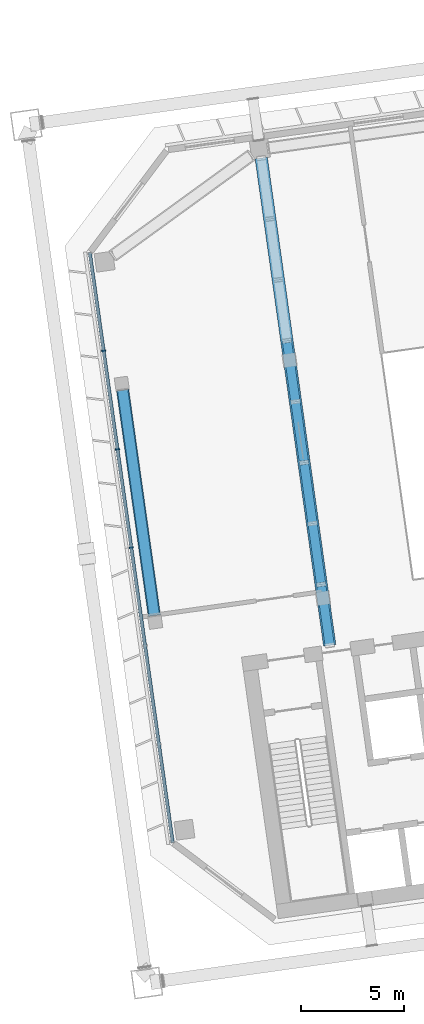
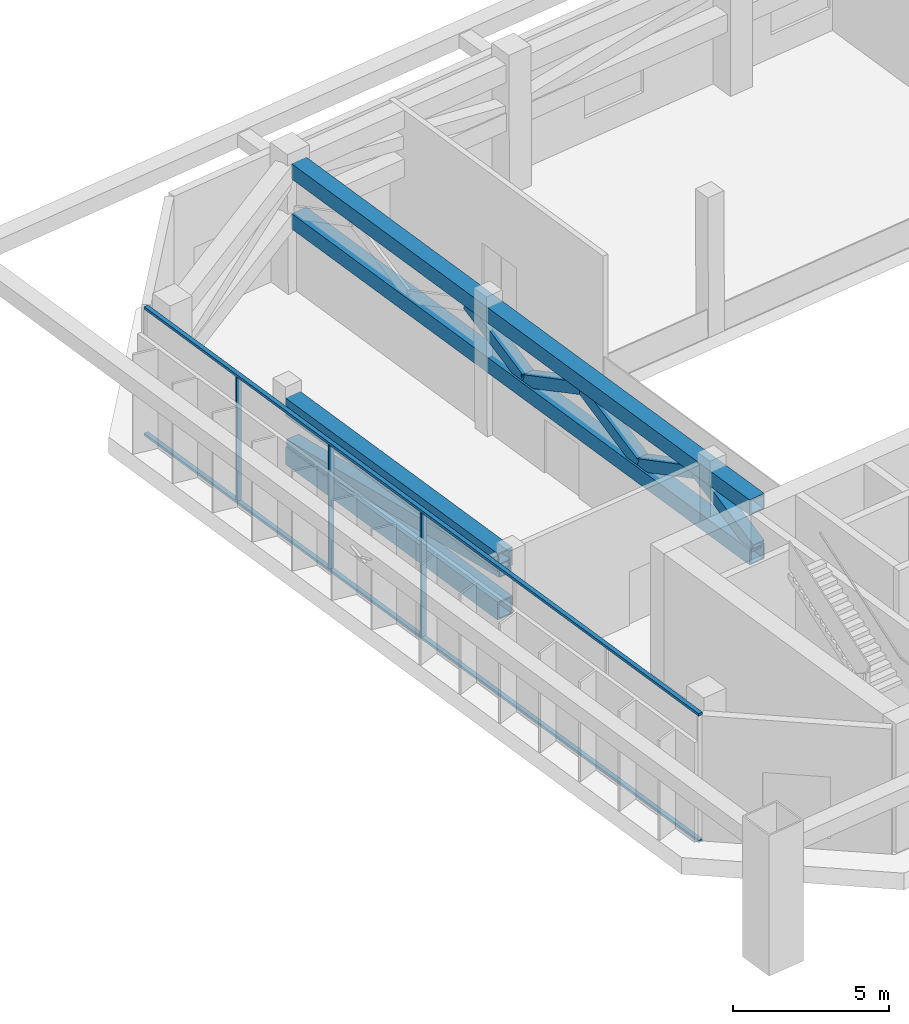
# One storey, part 13 of 41: 15 members, 1 element without a shape of its own.
"""IFC4 building model written with IfcOpenShell, lengths in metres."""

from ifc_helpers import new_model, si_unit, direction, frame, origin, origin_2d, place, context, subcontext, project, spatial, rectangle, hollow_rectangle, extrude, material, material_profile, profile_set, type_object, element, aggregate, save


model = new_model("IFC4")

# Units and contexts
model_context = context("Model", 3, precision=1e-05, world=origin(), true_north=direction((0.0, 1.0)))
body_context = subcontext(model_context, "Body", "Model", "MODEL_VIEW")
ifc_project = project(units=[si_unit("LENGTHUNIT", "METRE"), si_unit("AREAUNIT", "SQUARE_METRE"), si_unit("VOLUMEUNIT", "CUBIC_METRE"), si_unit("PLANEANGLEUNIT", "RADIAN"), si_unit("MASSUNIT", "GRAM", prefix="KILO")], contexts=[model_context])

# Site, building, storey
site_placement = place(None, origin())
site = spatial("IfcSite", under=ifc_project, at=site_placement, CompositionType="ELEMENT")
building_placement = place(site_placement, origin())
building = spatial("IfcBuilding", under=site, at=building_placement, Name="Mirante Cascada Hotel Towers", CompositionType="ELEMENT")
storey_placement = place(building_placement, frame((0.0, 0.0, 151.9)))
storey = spatial("IfcBuildingStorey", under=building, at=storey_placement, Name="L35", CompositionType="ELEMENT", Elevation=151.9)

# Members
ifc_material_1 = material(Name="Steel ASTM A572 Gr 50", Category="steel")
ifc_material_profile_1 = material_profile(ifc_material_1, hollow_rectangle(XDim=0.6, YDim=0.6, WallThickness=0.045, at=origin_2d()), Name="Box chord 600x600x45 ASTM A572 Gr 50")
ifc_profile_set_1 = profile_set([ifc_material_profile_1], Name="Steel ASTM A572 Gr 50")
member_type_1 = type_object("IfcMemberType", Name="Box chord 600x600x45 ASTM A572 Gr 50", PredefinedType="CHORD", material=ifc_profile_set_1)
for number, where, z_axis, x_axis, name in (
    (1, (39.7665, -6.7167, 2.8), (-0.1391739, 0.9902679, 0.0), (-0.9902679, -0.1391739, 0.0), "outrigger T2 L35 1"),
    (2, (39.7665, -6.7167, 4.75), (-0.1391739, 0.9902679, 0.0), (-0.9902679, -0.1391739, 0.0), "outrigger T2 L35 2"),
):
    element("IfcMember", number, at=place(storey_placement, frame(where, z_axis=z_axis, x_axis=x_axis)), inside=storey, type_object=member_type_1, Name=name, PredefinedType="CHORD", context=body_context, shape_type="SweptSolid", body=[
        extrude(hollow_rectangle(XDim=0.6, YDim=0.6, WallThickness=0.045, at=origin_2d()), origin(), (0.0, 0.0, 1.0), 23.85),
    ])
ifc_material_2 = material(Name="Steel ASTM A572 Gr 50", Category="steel")
ifc_material_profile_2 = material_profile(ifc_material_2, hollow_rectangle(XDim=0.6, YDim=0.7, WallThickness=0.05, at=origin_2d()), Name="Box chord 700x600x50 ASTM A572 Gr 50")
ifc_profile_set_2 = profile_set([ifc_material_profile_2], Name="Steel ASTM A572 Gr 50")
member_type_2 = type_object("IfcMemberType", Name="Box chord 700x600x50 ASTM A572 Gr 50", PredefinedType="CHORD", material=ifc_profile_set_2)
for number, where, z_axis, x_axis, name in (
    (3, (31.2682, -5.2754, 4.7), (-0.1391752, 0.9902678, 0.0), (-0.9902678, -0.1391752, 0.0), "belt T2 L35 28"),
    (4, (31.2682, -5.2754, 2.8), (-0.1391752, 0.9902678, 0.0), (-0.9902678, -0.1391752, 0.0), "belt T2 L35 29"),
):
    element("IfcMember", number, at=place(storey_placement, frame(where, z_axis=z_axis, x_axis=x_axis)), inside=storey, type_object=member_type_2, Name=name, PredefinedType="CHORD", context=body_context, shape_type="SweptSolid", body=[
        extrude(hollow_rectangle(XDim=0.6, YDim=0.7, WallThickness=0.05, at=origin_2d()), origin(), (0.0, 0.0, 1.0), 11.04),
    ])
ifc_material_3 = material(Name="Steel ASTM A572 Gr 50", Category="steel")
ifc_material_profile_3 = material_profile(ifc_material_3, hollow_rectangle(XDim=0.45, YDim=0.45, WallThickness=0.03, at=origin_2d()), Name="Box diagonal 450x450x30 ASTM A572 Gr 50")
ifc_profile_set_3 = profile_set([ifc_material_profile_3], Name="Steel ASTM A572 Gr 50")
member_type_3 = type_object("IfcMemberType", Name="Box diagonal 450x450x30 ASTM A572 Gr 50", PredefinedType="BRACE", material=ifc_profile_set_3)
member_1_placement = place(storey_placement, frame((39.7665, -6.7167, 3.1), z_axis=(-0.1267752, 0.9020928, 0.4125005), x_axis=(-0.9902689, -0.1391669, 0.0)))
element("IfcMember", 5, at=member_1_placement, inside=storey, type_object=member_type_3, Name="outrigger T2 L35 3", PredefinedType="BRACE", context=body_context, shape_type="SweptSolid", body=[
    extrude(hollow_rectangle(XDim=0.45, YDim=0.45, WallThickness=0.03, at=origin_2d()), origin(), (0.0, 0.0, 1.0), 3.2727),
])
for number, where, z_axis, x_axis, name in (
    (6, (39.3516, -3.7644, 4.45), (-0.1267787, 0.9020871, -0.4125119), (-0.9902683, -0.1391716, 0.0), "outrigger T2 L35 4"),
    (7, (38.9367, -0.8122, 3.1), (-0.1267787, 0.9020871, 0.4125119), (-0.9902683, -0.1391716, 0.0), "outrigger T2 L35 5"),
):
    element("IfcMember", number, at=place(storey_placement, frame(where, z_axis=z_axis, x_axis=x_axis)), inside=storey, type_object=member_type_3, Name=name, PredefinedType="BRACE", context=body_context, shape_type="SweptSolid", body=[
        extrude(hollow_rectangle(XDim=0.45, YDim=0.45, WallThickness=0.03, at=origin_2d()), origin(), (0.0, 0.0, 1.0), 3.2726),
    ])
member_2_placement = place(storey_placement, frame((38.5218, 2.14, 4.45), z_axis=(-0.1268052, 0.9020893, -0.4124989), x_axis=(-0.9902643, -0.1391998, 0.0)))
element("IfcMember", 8, at=member_2_placement, inside=storey, type_object=member_type_3, Name="outrigger T2 L35 6", PredefinedType="BRACE", context=body_context, shape_type="SweptSolid", body=[
    extrude(hollow_rectangle(XDim=0.45, YDim=0.45, WallThickness=0.03, at=origin_2d()), origin(), (0.0, 0.0, 1.0), 3.2727),
])
member_3_placement = place(storey_placement, frame((38.1068, 5.0923, 3.1), z_axis=(-0.1267787, 0.9020871, 0.4125119), x_axis=(-0.9902683, -0.1391716, 0.0)))
element("IfcMember", 9, at=member_3_placement, inside=storey, type_object=member_type_3, Name="outrigger T2 L35 7", PredefinedType="BRACE", context=body_context, shape_type="SweptSolid", body=[
    extrude(hollow_rectangle(XDim=0.45, YDim=0.45, WallThickness=0.03, at=origin_2d()), origin(), (0.0, 0.0, 1.0), 3.2726),
])
ifc_material_4 = material(Name="Steel ASTM A572 Gr 50", Category="steel")
ifc_material_profile_4 = material_profile(ifc_material_4, hollow_rectangle(XDim=0.5, YDim=0.5, WallThickness=0.035, at=origin_2d()), Name="Box diagonal 500x500x35 ASTM A572 Gr 50")
ifc_profile_set_4 = profile_set([ifc_material_profile_4], Name="Steel ASTM A572 Gr 50")
member_type_4 = type_object("IfcMemberType", Name="Box diagonal 500x500x35 ASTM A572 Gr 50", PredefinedType="BRACE", material=ifc_profile_set_4)
member_4_placement = place(storey_placement, frame((31.2682, -5.2754, 4.35), z_axis=(-0.1383602, 0.9844693, -0.1080588), x_axis=(-0.9902678, -0.1391752, 0.0)))
element("IfcMember", 10, at=member_4_placement, inside=storey, type_object=member_type_4, Name="belt T2 L35 30", PredefinedType="BRACE", context=body_context, shape_type="SweptSolid", body=[
    extrude(hollow_rectangle(XDim=0.5, YDim=0.5, WallThickness=0.035, at=origin_2d()), origin(), (0.0, 0.0, 1.0), 11.1051),
])

# Curtain wall, members
ifc_material_5 = material(Name="Aluminium mullion and transom frame with clear laminated glass", Category="aluminium")
curtain_wall_type = type_object("IfcCurtainWallType", Name="End ribbon curtain wall ECW2", PredefinedType="NOTDEFINED", material=ifc_material_5)
curtain_wall_placement = place(storey_placement, origin())
curtain_wall = element("IfcCurtainWall", 11, at=curtain_wall_placement, inside=storey, type_object=curtain_wall_type, Name="Inner end wall T2 L35", PredefinedType="NOTDEFINED")
ifc_material_6 = material(Name="Anodised aluminium extrusion", Category="aluminium")
ifc_material_profile_5 = material_profile(ifc_material_6, rectangle(XDim=0.2, YDim=0.065, at=origin_2d()), Name="ECW2 MULLION 65x200")
ifc_profile_set_5 = profile_set([ifc_material_profile_5], Name="Anodised aluminium extrusion")
member_type_5 = type_object("IfcMemberType", Name="ECW2 mullion 65x200", PredefinedType="MULLION", material=ifc_profile_set_5)
member_5_placement = place(storey_placement, frame((28.809, 7.5524, 0.1), z_axis=(0.0, 0.0, 1.0), x_axis=(0.9902681, 0.1391731, 0.0)))
member_5 = element("IfcMember", 12, at=member_5_placement, type_object=member_type_5, Name="ECW2 mullion 2", PredefinedType="MULLION", context=body_context, shape_type="SweptSolid", body=[
    extrude(rectangle(XDim=0.2, YDim=0.065, at=origin_2d()), origin(), (0.0, 0.0, 1.0), 4.85),
])
member_6_placement = place(storey_placement, frame((29.4788, 2.7867, 0.1), z_axis=(0.0, 0.0, 1.0), x_axis=(0.9902681, 0.1391731, 0.0)))
member_6 = element("IfcMember", 13, at=member_6_placement, type_object=member_type_5, Name="ECW2 mullion 3", PredefinedType="MULLION", context=body_context, shape_type="SweptSolid", body=[
    extrude(rectangle(XDim=0.2, YDim=0.065, at=origin_2d()), origin(), (0.0, 0.0, 1.0), 4.85),
])
member_7_placement = place(storey_placement, frame((30.1485, -1.9791, 0.1), z_axis=(0.0, 0.0, 1.0), x_axis=(0.9902681, 0.1391731, 0.0)))
member_7 = element("IfcMember", 14, at=member_7_placement, type_object=member_type_5, Name="ECW2 mullion 4", PredefinedType="MULLION", context=body_context, shape_type="SweptSolid", body=[
    extrude(rectangle(XDim=0.2, YDim=0.065, at=origin_2d()), origin(), (0.0, 0.0, 1.0), 4.85),
])
ifc_material_7 = material(Name="Anodised aluminium extrusion", Category="aluminium")
ifc_material_profile_6 = material_profile(ifc_material_7, rectangle(XDim=0.16, YDim=0.1, at=origin_2d()), Name="ECW2 TRANSOM 100x160")
ifc_profile_set_6 = profile_set([ifc_material_profile_6], Name="Anodised aluminium extrusion")
member_type_6 = type_object("IfcMemberType", Name="ECW2 transom 100x160", PredefinedType="USERDEFINED", material=ifc_profile_set_6)
member_8_placement = place(storey_placement, frame((28.1392, 12.3182, 0.05), z_axis=(0.1391723, -0.9902682, 0.0), x_axis=(0.9902682, 0.1391723, 0.0)))
member_8 = element("IfcMember", 15, at=member_8_placement, type_object=member_type_6, Name="ECW2 sill transom", ObjectType="TRANSOM", PredefinedType="USERDEFINED", context=body_context, shape_type="SweptSolid", body=[
    extrude(rectangle(XDim=0.16, YDim=0.1, at=origin_2d()), origin(), (0.0, 0.0, 1.0), 28.8757),
])
member_9_placement = place(storey_placement, frame((28.1392, 12.3182, 5.0), z_axis=(0.1391723, -0.9902682, 0.0), x_axis=(0.9902682, 0.1391723, 0.0)))
member_9 = element("IfcMember", 16, at=member_9_placement, type_object=member_type_6, Name="ECW2 head transom", ObjectType="TRANSOM", PredefinedType="USERDEFINED", context=body_context, shape_type="SweptSolid", body=[
    extrude(rectangle(XDim=0.16, YDim=0.1, at=origin_2d()), origin(), (0.0, 0.0, 1.0), 28.8757),
])
aggregate(curtain_wall, [member_8, member_9, member_5, member_6, member_7])

save(model, "model.ifc")
